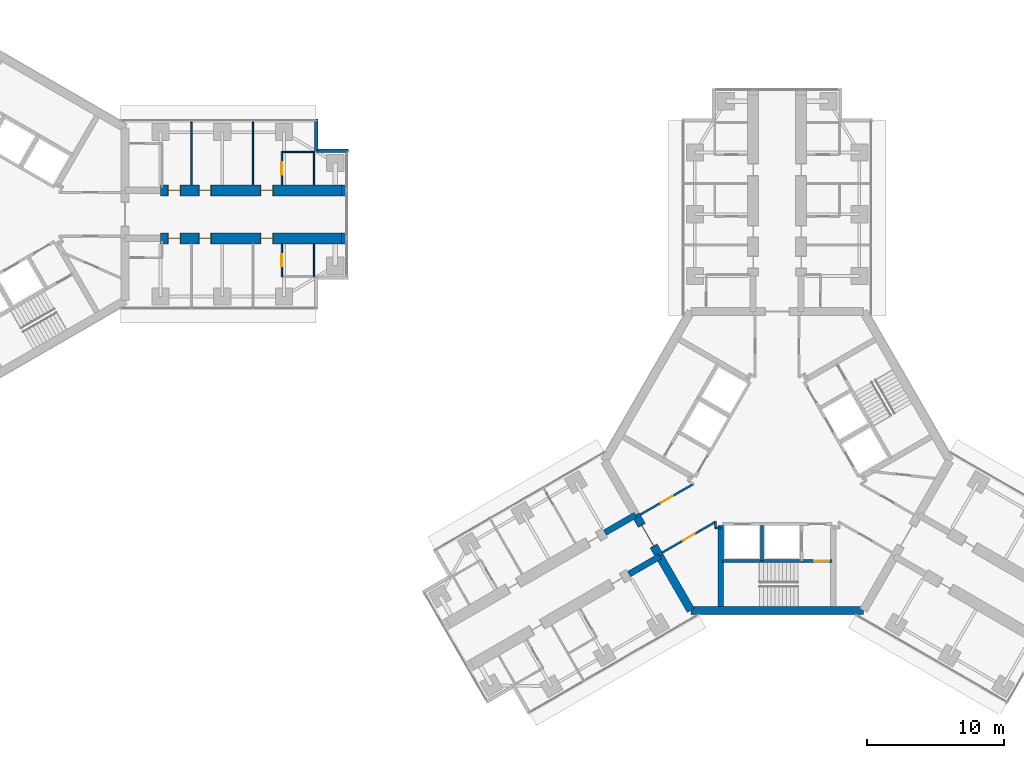
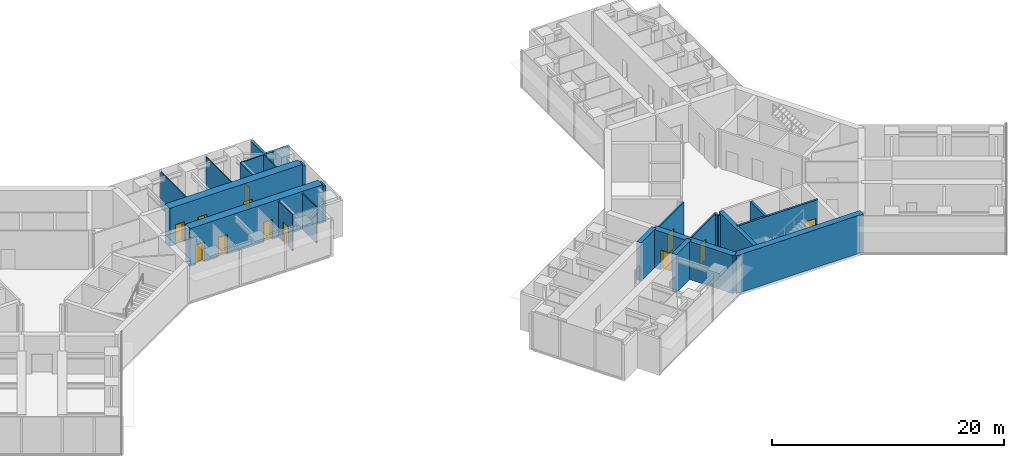
# One storey, part 18 of 23: 25 walls, 12 doors, 12 openings.
"""IFC4 building model written with IfcOpenShell, lengths in metres."""

from ifc_helpers import new_model, si_unit, direction, frame, frame_2d, origin, place, context, subcontext, project, spatial, rectangle, extrude, material, layer, layer_set, type_object, element, fill, save


model = new_model("IFC4")

# Units and contexts
model_context = context("Model", 3, precision=1e-05, world=origin(), true_north=direction((0.0, 1.0)))
body_context = subcontext(model_context, "Body", "Model", "MODEL_VIEW")
ifc_project = project(units=[si_unit("LENGTHUNIT", "METRE"), si_unit("AREAUNIT", "SQUARE_METRE"), si_unit("VOLUMEUNIT", "CUBIC_METRE"), si_unit("PLANEANGLEUNIT", "RADIAN"), si_unit("MASSUNIT", "GRAM", prefix="KILO")], contexts=[model_context])

# Site, building, storey
site_placement = place(None, origin())
site = spatial("IfcSite", under=ifc_project, at=site_placement, CompositionType="ELEMENT")
building_placement = place(site_placement, origin())
building = spatial("IfcBuilding", under=site, at=building_placement, Name="Upepo Twin Towers", CompositionType="ELEMENT")
storey_placement = place(building_placement, frame((0.0, 0.0, 149.5)))
storey = spatial("IfcBuildingStorey", under=building, at=storey_placement, Name="L36", CompositionType="ELEMENT", Elevation=149.5)

# Walls
ifc_material_1 = material(Name="Dense concrete blockwork", Category="masonry")
ifc_layer_1 = layer(ifc_material_1, 0.800048828125)
ifc_layer_set_1 = layer_set([ifc_layer_1], Name="Buttress closer 800, blockwork with fire-stopping to the curtain wall")
wall_type_1 = type_object("IfcWallType", Name="Buttress closer 800, blockwork with fire-stopping to the curtain wall", PredefinedType="PARTITIONING", material=ifc_layer_set_1)
for number, where, z_axis, x_axis, name in (
    (1, (26.699951171875, 1.75, 0.0), (0.0, 0.0, 1.0), (1.0, 0.0, 0.0), "T1 L36 wing A buttress closer L"),
    (2, (26.699951171875, -1.75, 0.0), (0.0, 0.0, 1.0), (1.0, 0.0, 0.0), "T1 L36 wing A buttress closer R"),
):
    element("IfcWall", number, at=place(storey_placement, frame(where, z_axis=z_axis, x_axis=x_axis)), inside=storey, type_object=wall_type_1, Name=name, PredefinedType="PARTITIONING", context=body_context, shape_type="SweptSolid", body=[
        extrude(rectangle(XDim=0.300048828125, YDim=0.800048828125, at=frame_2d((0.14990234375, 0.0))), origin(), (0.0, 0.0, 1.0), 3.800048828125),
    ])
ifc_material_2 = material(Name="Concrete C60/75", Category="concrete")
ifc_layer_2 = layer(ifc_material_2, 0.449951171875)
ifc_layer_set_2 = layer_set([ifc_layer_2], Name="Concrete C60/75")
wall_type_2 = type_object("IfcWallType", Name="Buttress wall 450 RC", PredefinedType="SHEAR", material=ifc_layer_set_2)
for number, where, z_axis, x_axis, name in (
    (3, (49.92822265625, -24.9697265625, 0.0), (0.0, 0.0, 1.0), (-0.866031863473, -0.499988811324, 0.0), "T2 wing B buttress wall L"),
    (4, (48.17822265625, -21.938720703125, 0.0), (0.0, 0.0, 1.0), (-0.866072649678, -0.499918158782, 0.0), "T2 wing B buttress wall R"),
):
    element("IfcWall", number, at=place(storey_placement, frame(where, z_axis=z_axis, x_axis=x_axis)), inside=storey, type_object=wall_type_2, Name=name, PredefinedType="SHEAR", context=body_context, shape_type="SweptSolid", body=[
        extrude(rectangle(XDim=2.591796875, YDim=0.449951171875, at=frame_2d((1.2958984375, 0.0))), origin(), (0.0, 0.0, 1.0), 4.0),
    ])

# Wall, openings, doors
ifc_material_3 = material(Name="Concrete C60/75", Category="concrete")
ifc_layer_3 = layer(ifc_material_3, 0.800048828125)
ifc_layer_set_3 = layer_set([ifc_layer_3], Name="Concrete C60/75")
wall_type_3 = type_object("IfcWallType", Name="Buttress wall 800 RC", PredefinedType="SHEAR", material=ifc_layer_set_3)
wall_1_placement = place(storey_placement, frame((13.5, 1.75, 0.0), z_axis=(0.0, 0.0, 1.0), x_axis=(1.0, 0.0, 0.0)))
wall_1 = element("IfcWall", 5, at=wall_1_placement, inside=storey, type_object=wall_type_3, Name="T1 wing A buttress wall L part 2", PredefinedType="SHEAR", context=body_context, shape_type="SweptSolid", body=[
    extrude(rectangle(XDim=13.199951171875, YDim=0.800048828125, at=frame_2d((6.60009765625, 0.0))), origin(), (0.0, 0.0, 1.0), 4.0),
])
opening_1_placement = place(wall_1_placement, frame((0.550048828125, 0.0, 0.0)))
opening_1 = element("IfcOpeningElement", 6, at=opening_1_placement, cuts=wall_1, Name="Opening D11", PredefinedType="OPENING", context=body_context, shape_type="SweptSolid", body=[
    extrude(rectangle(XDim=0.89990234375, YDim=2.10009765625, at=frame_2d((0.449951171875, 1.050048828125))), frame((0.0, 0.409912109375, 0.0), z_axis=(0.0, -1.0, 0.0), x_axis=(1.0, 0.0, 0.0)), (0.0, 0.0, 1.0), 0.820068359375),
])
opening_2_placement = place(wall_1_placement, frame((2.800048828125, 0.0, 0.0)))
opening_2 = element("IfcOpeningElement", 7, at=opening_2_placement, cuts=wall_1, Name="Opening D14", PredefinedType="OPENING", context=body_context, shape_type="SweptSolid", body=[
    extrude(rectangle(XDim=0.89990234375, YDim=2.10009765625, at=frame_2d((0.449951171875, 1.050048828125))), frame((0.0, 0.409912109375, 0.0), z_axis=(0.0, -1.0, 0.0), x_axis=(1.0, 0.0, 0.0)), (0.0, 0.0, 1.0), 0.820068359375),
])
opening_3_placement = place(wall_1_placement, frame((7.300048828125, 0.0, 0.0)))
opening_3 = element("IfcOpeningElement", 8, at=opening_3_placement, cuts=wall_1, Name="Opening D14", PredefinedType="OPENING", context=body_context, shape_type="SweptSolid", body=[
    extrude(rectangle(XDim=0.89990234375, YDim=2.10009765625, at=frame_2d((0.449951171875, 1.050048828125))), frame((0.0, 0.409912109375, 0.0), z_axis=(0.0, -1.0, 0.0), x_axis=(1.0, 0.0, 0.0)), (0.0, 0.0, 1.0), 0.820068359375),
])
ifc_material_4 = material(Name="Timber doorset", Category="wood")
door_type_1 = type_object("IfcDoorType", Name="Office door 900 FD30", OperationType="SINGLE_SWING_LEFT", PredefinedType="DOOR", material=ifc_material_4)
door_1_placement = place(opening_2_placement, origin())
door_1 = element("IfcDoor", 9, at=door_1_placement, inside=storey, type_object=door_type_1, Name="T1 L36 staff office door", OperationType="SINGLE_SWING_LEFT", OverallHeight=2.10009765625, OverallWidth=0.89990234375, PredefinedType="DOOR", context=body_context, shape_type="SweptSolid", body=[
    extrude(rectangle(XDim=0.81990234375, YDim=2.06009765625, at=frame_2d((0.449951171875, 1.030029296875))), frame((0.0, 0.02490234375, 0.0), z_axis=(0.0, -1.0, 0.0), x_axis=(1.0, 0.0, 0.0)), (0.0, 0.0, 1.0), 0.050048828125),
    extrude(rectangle(XDim=0.04, YDim=2.10009765625, at=frame_2d((0.02001953125, 1.050048828125))), frame((0.0, 0.39990234375, 0.0), z_axis=(0.0, -1.0, 0.0), x_axis=(1.0, 0.0, 0.0)), (0.0, 0.0, 1.0), 0.799560546875),
    extrude(rectangle(XDim=0.04, YDim=2.10009765625, at=frame_2d((0.8798828125, 1.050048828125))), frame((0.0, 0.39990234375, 0.0), z_axis=(0.0, -1.0, 0.0), x_axis=(1.0, 0.0, 0.0)), (0.0, 0.0, 1.0), 0.799560546875),
    extrude(rectangle(XDim=0.81990234375, YDim=0.04, at=frame_2d((0.449951171875, 2.080078125))), frame((0.0, 0.39990234375, 0.0), z_axis=(0.0, -1.0, 0.0), x_axis=(1.0, 0.0, 0.0)), (0.0, 0.0, 1.0), 0.799560546875),
])
fill(opening_2, door_1)
door_2_placement = place(opening_3_placement, origin())
door_2 = element("IfcDoor", 10, at=door_2_placement, inside=storey, type_object=door_type_1, Name="T1 L36 postgraduate office door", OperationType="SINGLE_SWING_RIGHT", OverallHeight=2.10009765625, OverallWidth=0.89990234375, PredefinedType="DOOR", context=body_context, shape_type="SweptSolid", body=[
    extrude(rectangle(XDim=0.81990234375, YDim=2.06009765625, at=frame_2d((0.449951171875, 1.030029296875))), frame((0.0, 0.02490234375, 0.0), z_axis=(0.0, -1.0, 0.0), x_axis=(1.0, 0.0, 0.0)), (0.0, 0.0, 1.0), 0.050048828125),
    extrude(rectangle(XDim=0.04, YDim=2.10009765625, at=frame_2d((0.02001953125, 1.050048828125))), frame((0.0, 0.39990234375, 0.0), z_axis=(0.0, -1.0, 0.0), x_axis=(1.0, 0.0, 0.0)), (0.0, 0.0, 1.0), 0.799560546875),
    extrude(rectangle(XDim=0.04, YDim=2.10009765625, at=frame_2d((0.8798828125, 1.050048828125))), frame((0.0, 0.39990234375, 0.0), z_axis=(0.0, -1.0, 0.0), x_axis=(1.0, 0.0, 0.0)), (0.0, 0.0, 1.0), 0.799560546875),
    extrude(rectangle(XDim=0.81990234375, YDim=0.04, at=frame_2d((0.449951171875, 2.080078125))), frame((0.0, 0.39990234375, 0.0), z_axis=(0.0, -1.0, 0.0), x_axis=(1.0, 0.0, 0.0)), (0.0, 0.0, 1.0), 0.799560546875),
])
fill(opening_3, door_2)
ifc_material_5 = material(Name="Timber doorset", Category="wood")
door_type_2 = type_object("IfcDoorType", Name="Toilet door 900", OperationType="SINGLE_SWING_LEFT", PredefinedType="DOOR", material=ifc_material_5)
door_3_placement = place(opening_1_placement, origin())
door_3 = element("IfcDoor", 11, at=door_3_placement, inside=storey, type_object=door_type_2, Name="T1 L36 accessible wc door", OperationType="SINGLE_SWING_LEFT", OverallHeight=2.10009765625, OverallWidth=0.89990234375, PredefinedType="DOOR", context=body_context, shape_type="SweptSolid", body=[
    extrude(rectangle(XDim=0.81990234375, YDim=2.06009765625, at=frame_2d((0.449951171875, 1.030029296875))), frame((0.0, 0.02490234375, 0.0), z_axis=(0.0, -1.0, 0.0), x_axis=(1.0, 0.0, 0.0)), (0.0, 0.0, 1.0), 0.050048828125),
    extrude(rectangle(XDim=0.04, YDim=2.10009765625, at=frame_2d((0.02001953125, 1.050048828125))), frame((0.0, 0.39990234375, 0.0), z_axis=(0.0, -1.0, 0.0), x_axis=(1.0, 0.0, 0.0)), (0.0, 0.0, 1.0), 0.799560546875),
    extrude(rectangle(XDim=0.04, YDim=2.10009765625, at=frame_2d((0.8798828125, 1.050048828125))), frame((0.0, 0.39990234375, 0.0), z_axis=(0.0, -1.0, 0.0), x_axis=(1.0, 0.0, 0.0)), (0.0, 0.0, 1.0), 0.799560546875),
    extrude(rectangle(XDim=0.81990234375, YDim=0.04, at=frame_2d((0.449951171875, 2.080078125))), frame((0.0, 0.39990234375, 0.0), z_axis=(0.0, -1.0, 0.0), x_axis=(1.0, 0.0, 0.0)), (0.0, 0.0, 1.0), 0.799560546875),
])
fill(opening_1, door_3)

wall_2_placement = place(storey_placement, frame((13.5, -1.75, 0.0), z_axis=(0.0, 0.0, 1.0), x_axis=(1.0, 0.0, 0.0)))
wall_2 = element("IfcWall", 12, at=wall_2_placement, inside=storey, type_object=wall_type_3, Name="T1 wing A buttress wall R part 2", PredefinedType="SHEAR", context=body_context, shape_type="SweptSolid", body=[
    extrude(rectangle(XDim=13.199951171875, YDim=0.800048828125, at=frame_2d((6.60009765625, 0.0))), origin(), (0.0, 0.0, 1.0), 4.0),
])
opening_4_placement = place(wall_2_placement, frame((0.550048828125, 0.0, 0.0)))
opening_4 = element("IfcOpeningElement", 13, at=opening_4_placement, cuts=wall_2, Name="Opening D11", PredefinedType="OPENING", context=body_context, shape_type="SweptSolid", body=[
    extrude(rectangle(XDim=0.89990234375, YDim=2.10009765625, at=frame_2d((0.449951171875, 1.050048828125))), frame((0.0, 0.409912109375, 0.0), z_axis=(0.0, -1.0, 0.0), x_axis=(1.0, 0.0, 0.0)), (0.0, 0.0, 1.0), 0.820068359375),
])
opening_5_placement = place(wall_2_placement, frame((2.800048828125, 0.0, 0.0)))
opening_5 = element("IfcOpeningElement", 14, at=opening_5_placement, cuts=wall_2, Name="Opening D14", PredefinedType="OPENING", context=body_context, shape_type="SweptSolid", body=[
    extrude(rectangle(XDim=0.89990234375, YDim=2.10009765625, at=frame_2d((0.449951171875, 1.050048828125))), frame((0.0, 0.409912109375, 0.0), z_axis=(0.0, -1.0, 0.0), x_axis=(1.0, 0.0, 0.0)), (0.0, 0.0, 1.0), 0.820068359375),
])
opening_6_placement = place(wall_2_placement, frame((7.300048828125, 0.0, 0.0)))
opening_6 = element("IfcOpeningElement", 15, at=opening_6_placement, cuts=wall_2, Name="Opening D14", PredefinedType="OPENING", context=body_context, shape_type="SweptSolid", body=[
    extrude(rectangle(XDim=0.89990234375, YDim=2.10009765625, at=frame_2d((0.449951171875, 1.050048828125))), frame((0.0, 0.409912109375, 0.0), z_axis=(0.0, -1.0, 0.0), x_axis=(1.0, 0.0, 0.0)), (0.0, 0.0, 1.0), 0.820068359375),
])
door_4_placement = place(opening_5_placement, origin())
door_4 = element("IfcDoor", 16, at=door_4_placement, inside=storey, type_object=door_type_1, Name="T1 L36 meeting room door", OperationType="SINGLE_SWING_LEFT", OverallHeight=2.10009765625, OverallWidth=0.89990234375, PredefinedType="DOOR", context=body_context, shape_type="SweptSolid", body=[
    extrude(rectangle(XDim=0.81990234375, YDim=2.06009765625, at=frame_2d((0.449951171875, 1.030029296875))), frame((0.0, 0.02490234375, 0.0), z_axis=(0.0, -1.0, 0.0), x_axis=(1.0, 0.0, 0.0)), (0.0, 0.0, 1.0), 0.050048828125),
    extrude(rectangle(XDim=0.04, YDim=2.10009765625, at=frame_2d((0.02001953125, 1.050048828125))), frame((0.0, 0.39990234375, 0.0), z_axis=(0.0, -1.0, 0.0), x_axis=(1.0, 0.0, 0.0)), (0.0, 0.0, 1.0), 0.799560546875),
    extrude(rectangle(XDim=0.04, YDim=2.10009765625, at=frame_2d((0.8798828125, 1.050048828125))), frame((0.0, 0.39990234375, 0.0), z_axis=(0.0, -1.0, 0.0), x_axis=(1.0, 0.0, 0.0)), (0.0, 0.0, 1.0), 0.799560546875),
    extrude(rectangle(XDim=0.81990234375, YDim=0.04, at=frame_2d((0.449951171875, 2.080078125))), frame((0.0, 0.39990234375, 0.0), z_axis=(0.0, -1.0, 0.0), x_axis=(1.0, 0.0, 0.0)), (0.0, 0.0, 1.0), 0.799560546875),
])
fill(opening_5, door_4)
door_5_placement = place(opening_6_placement, origin())
door_5 = element("IfcDoor", 17, at=door_5_placement, inside=storey, type_object=door_type_1, Name="T1 L36 staff office door", OperationType="SINGLE_SWING_RIGHT", OverallHeight=2.10009765625, OverallWidth=0.89990234375, PredefinedType="DOOR", context=body_context, shape_type="SweptSolid", body=[
    extrude(rectangle(XDim=0.81990234375, YDim=2.06009765625, at=frame_2d((0.449951171875, 1.030029296875))), frame((0.0, 0.02490234375, 0.0), z_axis=(0.0, -1.0, 0.0), x_axis=(1.0, 0.0, 0.0)), (0.0, 0.0, 1.0), 0.050048828125),
    extrude(rectangle(XDim=0.04, YDim=2.10009765625, at=frame_2d((0.02001953125, 1.050048828125))), frame((0.0, 0.39990234375, 0.0), z_axis=(0.0, -1.0, 0.0), x_axis=(1.0, 0.0, 0.0)), (0.0, 0.0, 1.0), 0.799560546875),
    extrude(rectangle(XDim=0.04, YDim=2.10009765625, at=frame_2d((0.8798828125, 1.050048828125))), frame((0.0, 0.39990234375, 0.0), z_axis=(0.0, -1.0, 0.0), x_axis=(1.0, 0.0, 0.0)), (0.0, 0.0, 1.0), 0.799560546875),
    extrude(rectangle(XDim=0.81990234375, YDim=0.04, at=frame_2d((0.449951171875, 2.080078125))), frame((0.0, 0.39990234375, 0.0), z_axis=(0.0, -1.0, 0.0), x_axis=(1.0, 0.0, 0.0)), (0.0, 0.0, 1.0), 0.799560546875),
])
fill(opening_6, door_5)
door_6_placement = place(opening_4_placement, origin())
door_6 = element("IfcDoor", 18, at=door_6_placement, inside=storey, type_object=door_type_2, Name="T1 L36 toilets door", OperationType="SINGLE_SWING_LEFT", OverallHeight=2.10009765625, OverallWidth=0.89990234375, PredefinedType="DOOR", context=body_context, shape_type="SweptSolid", body=[
    extrude(rectangle(XDim=0.81990234375, YDim=2.06009765625, at=frame_2d((0.449951171875, 1.030029296875))), frame((0.0, 0.02490234375, 0.0), z_axis=(0.0, -1.0, 0.0), x_axis=(1.0, 0.0, 0.0)), (0.0, 0.0, 1.0), 0.050048828125),
    extrude(rectangle(XDim=0.04, YDim=2.10009765625, at=frame_2d((0.02001953125, 1.050048828125))), frame((0.0, 0.39990234375, 0.0), z_axis=(0.0, -1.0, 0.0), x_axis=(1.0, 0.0, 0.0)), (0.0, 0.0, 1.0), 0.799560546875),
    extrude(rectangle(XDim=0.04, YDim=2.10009765625, at=frame_2d((0.8798828125, 1.050048828125))), frame((0.0, 0.39990234375, 0.0), z_axis=(0.0, -1.0, 0.0), x_axis=(1.0, 0.0, 0.0)), (0.0, 0.0, 1.0), 0.799560546875),
    extrude(rectangle(XDim=0.81990234375, YDim=0.04, at=frame_2d((0.449951171875, 2.080078125))), frame((0.0, 0.39990234375, 0.0), z_axis=(0.0, -1.0, 0.0), x_axis=(1.0, 0.0, 0.0)), (0.0, 0.0, 1.0), 0.799560546875),
])
fill(opening_4, door_6)

# Wall, opening, door
ifc_material_6 = material(Name="Concrete C60/75", Category="concrete")
ifc_layer_4 = layer(ifc_material_6, 0.60009765625)
ifc_layer_set_4 = layer_set([ifc_layer_4], Name="Concrete C60/75")
wall_type_4 = type_object("IfcWallType", Name="Core wall 600 RC", PredefinedType="SHEAR", material=ifc_layer_set_4)
wall_3_placement = place(storey_placement, frame((48.17822265625, -21.938720703125, 0.0), z_axis=(0.0, 0.0, 1.0), x_axis=(0.500010275428, -0.866019471182, 0.0)))
wall_3 = element("IfcWall", 19, at=wall_3_placement, inside=storey, type_object=wall_type_4, Name="T2 core wall 120", PredefinedType="SHEAR", context=body_context, shape_type="SweptSolid", body=[
    extrude(rectangle(XDim=3.5, YDim=0.60009765625, at=frame_2d((1.75, 0.0))), origin(), (0.0, 0.0, 1.0), 4.0),
])
opening_7_placement = place(wall_3_placement, frame((0.85009765625, 0.0, 0.0)))
opening_7 = element("IfcOpeningElement", 20, at=opening_7_placement, cuts=wall_3, Name="Opening D2", PredefinedType="OPENING", context=body_context, shape_type="SweptSolid", body=[
    extrude(rectangle(XDim=1.800048828125, YDim=2.10009765625, at=frame_2d((0.89990234375, 1.050048828125))), frame((0.0, 0.31005859375, 0.0), z_axis=(0.0, -1.0, 0.0), x_axis=(1.0, 0.0, 0.0)), (0.0, 0.0, 1.0), 0.6201171875),
])
ifc_material_7 = material(Name="Timber doorset", Category="wood")
door_type_3 = type_object("IfcDoorType", Name="Corridor double door 1800 FD60", OperationType="DOUBLE_DOOR_DOUBLE_SWING", PredefinedType="DOOR", material=ifc_material_7)
door_7_placement = place(opening_7_placement, origin())
door_7 = element("IfcDoor", 21, at=door_7_placement, inside=storey, type_object=door_type_3, Name="T2 L36 wing B corridor door", OperationType="DOUBLE_DOOR_DOUBLE_SWING", OverallHeight=2.10009765625, OverallWidth=1.800048828125, PredefinedType="DOOR", context=body_context, shape_type="SweptSolid", body=[
    extrude(rectangle(XDim=1.720048828125, YDim=2.06009765625, at=frame_2d((0.89990234375, 1.030029296875))), frame((0.0, 0.02490234375, 0.0), z_axis=(0.0, -1.0, 0.0), x_axis=(1.0, 0.0, 0.0)), (0.0, 0.0, 1.0), 0.050048828125),
    extrude(rectangle(XDim=0.04, YDim=2.10009765625, at=frame_2d((0.02001953125, 1.050048828125))), frame((0.0, 0.2998046875, 0.0), z_axis=(0.0, -1.0, 0.0), x_axis=(1.0, 0.0, 0.0)), (0.0, 0.0, 1.0), 0.599609375),
    extrude(rectangle(XDim=0.04, YDim=2.10009765625, at=frame_2d((1.780029296875, 1.050048828125))), frame((0.0, 0.2998046875, 0.0), z_axis=(0.0, -1.0, 0.0), x_axis=(1.0, 0.0, 0.0)), (0.0, 0.0, 1.0), 0.599609375),
    extrude(rectangle(XDim=1.720048828125, YDim=0.04, at=frame_2d((0.89990234375, 2.080078125))), frame((0.0, 0.2998046875, 0.0), z_axis=(0.0, -1.0, 0.0), x_axis=(1.0, 0.0, 0.0)), (0.0, 0.0, 1.0), 0.599609375),
])
fill(opening_7, door_7)

# Walls
wall_4_placement = place(storey_placement, frame((49.92822265625, -24.9697265625, 0.0), z_axis=(0.0, 0.0, 1.0), x_axis=(0.499984222037, -0.866034513004, 0.0)))
element("IfcWall", 22, at=wall_4_placement, inside=storey, type_object=wall_type_4, Name="T2 core wall 120 L", PredefinedType="SHEAR", context=body_context, shape_type="SweptSolid", body=[
    extrude(rectangle(XDim=4.548095703125, YDim=0.60009765625, at=frame_2d((2.27392578125, 0.0))), origin(), (0.0, 0.0, 1.0), 4.0),
])
wall_5_placement = place(storey_placement, frame((52.2021484375, -28.908447265625, 0.0), z_axis=(0.0, 0.0, 1.0), x_axis=(1.0, 0.0, 0.0)))
element("IfcWall", 23, at=wall_5_placement, inside=storey, type_object=wall_type_4, Name="T2 core wall 180", PredefinedType="SHEAR", context=body_context, shape_type="SweptSolid", body=[
    extrude(rectangle(XDim=12.595703125, YDim=0.60009765625, at=frame_2d((6.2978515625, 0.0))), origin(), (0.0, 0.0, 1.0), 4.0),
])
ifc_material_8 = material(Name="Blockwork with anodised aluminium cladding", Category="masonry")
ifc_layer_5 = layer(ifc_material_8, 0.25)
ifc_layer_set_5 = layer_set([ifc_layer_5], Name="Notch cladding wall 250, pale metal")
wall_type_5 = type_object("IfcWallType", Name="Notch cladding wall 250, pale metal", PredefinedType="STANDARD", material=ifc_layer_set_5)
for number, where, z_axis, x_axis, name in (
    (24, (24.875, 6.949951171875, 0.0), (0.0, 0.0, 1.0), (0.0, -1.0, 0.0), "T1 L36 wing A notch wall L1"),
    (25, (24.875, 4.625, 0.0), (0.0, 0.0, 1.0), (1.0, 0.0, 0.0), "T1 L36 wing A notch wall L2"),
):
    element("IfcWall", number, at=place(storey_placement, frame(where, z_axis=z_axis, x_axis=x_axis)), inside=storey, type_object=wall_type_5, Name=name, PredefinedType="STANDARD", context=body_context, shape_type="SweptSolid", body=[
        extrude(rectangle(XDim=2.324951171875, YDim=0.25, at=frame_2d((1.16259765625, 0.0))), origin(), (0.0, 0.0, 1.0), 3.800048828125),
    ])
ifc_material_9 = material(Name="Gypsum board on steel studs", Category="steel")
ifc_layer_6 = layer(ifc_material_9, 0.10009765625)
ifc_layer_set_6 = layer_set([ifc_layer_6], Name="Office partition 100 stud")
wall_type_6 = type_object("IfcWallType", Name="Office partition 100 stud", PredefinedType="PARTITIONING", material=ifc_layer_set_6)
for number, where, z_axis, x_axis, name in (
    (26, (15.75, 2.14990234375, 0.0), (0.0, 0.0, 1.0), (0.0, 1.0, 0.0), "T1 partition AL at 15.75"),
    (27, (20.25, 2.14990234375, 0.0), (0.0, 0.0, 1.0), (0.0, 1.0, 0.0), "T1 partition AL at 20.25"),
):
    element("IfcWall", number, at=place(storey_placement, frame(where, z_axis=z_axis, x_axis=x_axis)), inside=storey, type_object=wall_type_6, Name=name, PredefinedType="PARTITIONING", context=body_context, shape_type="SweptSolid", body=[
        extrude(rectangle(XDim=4.60009765625, YDim=0.10009765625, at=frame_2d((2.300048828125, 0.0))), origin(), (0.0, 0.0, 1.0), 3.800048828125),
    ])
wall_6_placement = place(storey_placement, frame((22.35009765625, 4.550048828125, 0.0), z_axis=(0.0, 0.0, 1.0), x_axis=(1.0, 0.0, 0.0)))
element("IfcWall", 28, at=wall_6_placement, inside=storey, type_object=wall_type_6, Name="T1 inner room partition AL at 22.35", PredefinedType="PARTITIONING", context=body_context, shape_type="SweptSolid", body=[
    extrude(rectangle(XDim=2.39990234375, YDim=0.10009765625, at=frame_2d((1.199951171875, 0.0))), origin(), (0.0, 0.0, 1.0), 3.800048828125),
])

# Wall, opening, door
wall_7_placement = place(storey_placement, frame((22.35009765625, 2.14990234375, 0.0), z_axis=(0.0, 0.0, 1.0), x_axis=(0.0, 1.0, 0.0)))
wall_7 = element("IfcWall", 29, at=wall_7_placement, inside=storey, type_object=wall_type_6, Name="T1 inner room partition AL end at 22.35", PredefinedType="PARTITIONING", context=body_context, shape_type="SweptSolid", body=[
    extrude(rectangle(XDim=2.400146484375, YDim=0.10009765625, at=frame_2d((1.2001953125, 0.0))), origin(), (0.0, 0.0, 1.0), 3.800048828125),
])
opening_8_placement = place(wall_7_placement, frame((0.75, 0.0, 0.0)))
opening_8 = element("IfcOpeningElement", 30, at=opening_8_placement, cuts=wall_7, Name="Opening D14", PredefinedType="OPENING", context=body_context, shape_type="SweptSolid", body=[
    extrude(rectangle(XDim=0.89990234375, YDim=2.10009765625, at=frame_2d((0.449951171875, 1.050048828125))), frame((0.0, 0.06005859375, 0.0), z_axis=(0.0, -1.0, 0.0), x_axis=(1.0, 0.0, 0.0)), (0.0, 0.0, 1.0), 0.1201171875),
])
door_8_placement = place(opening_8_placement, origin())
door_8 = element("IfcDoor", 31, at=door_8_placement, inside=storey, type_object=door_type_1, Name="T1 L36 inner room door", OperationType="SINGLE_SWING_LEFT", OverallHeight=2.10009765625, OverallWidth=0.89990234375, PredefinedType="DOOR", context=body_context, shape_type="SweptSolid", body=[
    extrude(rectangle(XDim=0.89990234375, YDim=2.10009765625, at=frame_2d((0.449951171875, 1.050048828125))), frame((0.0, 0.02490234375, 0.0), z_axis=(0.0, -1.0, 0.0), x_axis=(1.0, 0.0, 0.0)), (0.0, 0.0, 1.0), 0.050048828125),
])
fill(opening_8, door_8)

# Wall
wall_8_placement = place(storey_placement, frame((24.699951171875, 2.14990234375, 0.0), z_axis=(0.0, 0.0, 1.0), x_axis=(0.0, 1.0, 0.0)))
element("IfcWall", 32, at=wall_8_placement, inside=storey, type_object=wall_type_6, Name="T1 inner room partition AL end at 24.75", PredefinedType="PARTITIONING", context=body_context, shape_type="SweptSolid", body=[
    extrude(rectangle(XDim=2.400146484375, YDim=0.10009765625, at=frame_2d((1.2001953125, 0.0))), origin(), (0.0, 0.0, 1.0), 3.800048828125),
])

# Wall, opening, door
wall_9_placement = place(storey_placement, frame((22.35009765625, -2.14990234375, 0.0), z_axis=(0.0, 0.0, 1.0), x_axis=(0.0, -1.0, 0.0)))
wall_9 = element("IfcWall", 33, at=wall_9_placement, inside=storey, type_object=wall_type_6, Name="T1 inner room partition AR end at 22.35", PredefinedType="PARTITIONING", context=body_context, shape_type="SweptSolid", body=[
    extrude(rectangle(XDim=2.400146484375, YDim=0.10009765625, at=frame_2d((1.2001953125, 0.0))), origin(), (0.0, 0.0, 1.0), 3.800048828125),
])
opening_9_placement = place(wall_9_placement, frame((0.75, 0.0, 0.0)))
opening_9 = element("IfcOpeningElement", 34, at=opening_9_placement, cuts=wall_9, Name="Opening D14", PredefinedType="OPENING", context=body_context, shape_type="SweptSolid", body=[
    extrude(rectangle(XDim=0.89990234375, YDim=2.10009765625, at=frame_2d((0.449951171875, 1.050048828125))), frame((0.0, 0.06005859375, 0.0), z_axis=(0.0, -1.0, 0.0), x_axis=(1.0, 0.0, 0.0)), (0.0, 0.0, 1.0), 0.1201171875),
])
door_9_placement = place(opening_9_placement, origin())
door_9 = element("IfcDoor", 35, at=door_9_placement, inside=storey, type_object=door_type_1, Name="T1 L36 inner room door", OperationType="SINGLE_SWING_LEFT", OverallHeight=2.10009765625, OverallWidth=0.89990234375, PredefinedType="DOOR", context=body_context, shape_type="SweptSolid", body=[
    extrude(rectangle(XDim=0.89990234375, YDim=2.10009765625, at=frame_2d((0.449951171875, 1.050048828125))), frame((0.0, 0.02490234375, 0.0), z_axis=(0.0, -1.0, 0.0), x_axis=(1.0, 0.0, 0.0)), (0.0, 0.0, 1.0), 0.050048828125),
])
fill(opening_9, door_9)

# Walls
wall_10_placement = place(storey_placement, frame((24.699951171875, -2.14990234375, 0.0), z_axis=(0.0, 0.0, 1.0), x_axis=(0.0, -1.0, 0.0)))
element("IfcWall", 36, at=wall_10_placement, inside=storey, type_object=wall_type_6, Name="T1 inner room partition AR end at 24.75", PredefinedType="PARTITIONING", context=body_context, shape_type="SweptSolid", body=[
    extrude(rectangle(XDim=2.400146484375, YDim=0.10009765625, at=frame_2d((1.2001953125, 0.0))), origin(), (0.0, 0.0, 1.0), 3.800048828125),
])
ifc_material_10 = material(Name="Concrete C40/50", Category="concrete")
ifc_layer_7 = layer(ifc_material_10, 0.199951171875)
ifc_layer_set_7 = layer_set([ifc_layer_7], Name="Concrete C40/50")
wall_type_7 = type_object("IfcWallType", Name="Shaft wall 200 RC", PredefinedType="SHEAR", material=ifc_layer_set_7)
wall_11_placement = place(storey_placement, frame((57.39990234375, -22.699951171875, 0.0), z_axis=(0.0, 0.0, 1.0), x_axis=(0.0, -1.0, 0.0)))
element("IfcWall", 37, at=wall_11_placement, inside=storey, type_object=wall_type_7, Name="T2 core W180 shaft divider", PredefinedType="SHEAR", context=body_context, shape_type="SweptSolid", body=[
    extrude(rectangle(XDim=2.60009765625, YDim=0.199951171875, at=frame_2d((1.300048828125, 0.0))), origin(), (0.0, 0.0, 1.0), 4.0),
])

# Wall, opening, door
wall_12_placement = place(storey_placement, frame((54.5, -25.300048828125, 0.0), z_axis=(0.0, 0.0, 1.0), x_axis=(1.0, 0.0, 0.0)))
wall_12 = element("IfcWall", 38, at=wall_12_placement, inside=storey, type_object=wall_type_7, Name="T2 core W180 stair wall", PredefinedType="SHEAR", context=body_context, shape_type="SweptSolid", body=[
    extrude(rectangle(XDim=8.0, YDim=0.199951171875, at=frame_2d((4.0, 0.0))), origin(), (0.0, 0.0, 1.0), 4.0),
])
opening_10_placement = place(wall_12_placement, frame((6.699951171875, 0.0, 0.0)))
opening_10 = element("IfcOpeningElement", 39, at=opening_10_placement, cuts=wall_12, Name="Opening D3", PredefinedType="OPENING", context=body_context, shape_type="SweptSolid", body=[
    extrude(rectangle(XDim=1.10009765625, YDim=2.10009765625, at=frame_2d((0.550048828125, 1.050048828125))), frame((0.0, 0.10986328125, 0.0), z_axis=(0.0, -1.0, 0.0), x_axis=(1.0, 0.0, 0.0)), (0.0, 0.0, 1.0), 0.219970703125),
])
ifc_material_11 = material(Name="Timber doorset", Category="wood")
door_type_4 = type_object("IfcDoorType", Name="Stair door 1100 FD60", OperationType="SINGLE_SWING_LEFT", PredefinedType="DOOR", material=ifc_material_11)
door_10_placement = place(opening_10_placement, origin())
door_10 = element("IfcDoor", 40, at=door_10_placement, inside=storey, type_object=door_type_4, Name="T2 L36 stair door", OperationType="SINGLE_SWING_RIGHT", OverallHeight=2.10009765625, OverallWidth=1.10009765625, PredefinedType="DOOR", context=body_context, shape_type="SweptSolid", body=[
    extrude(rectangle(XDim=1.10009765625, YDim=2.10009765625, at=frame_2d((0.550048828125, 1.050048828125))), frame((0.0, 0.02490234375, 0.0), z_axis=(0.0, -1.0, 0.0), x_axis=(1.0, 0.0, 0.0)), (0.0, 0.0, 1.0), 0.050048828125),
])
fill(opening_10, door_10)

# Walls
ifc_material_12 = material(Name="Concrete C40/50", Category="concrete")
ifc_layer_8 = layer(ifc_material_12, 0.39990234375)
ifc_layer_set_8 = layer_set([ifc_layer_8], Name="Concrete C40/50")
wall_type_8 = type_object("IfcWallType", Name="Shaft wall 400 RC", PredefinedType="SHEAR", material=ifc_layer_set_8)
wall_13_placement = place(storey_placement, frame((54.39990234375, -22.699951171875, 0.0), z_axis=(0.0, 0.0, 1.0), x_axis=(0.0, -1.0, 0.0)))
element("IfcWall", 41, at=wall_13_placement, inside=storey, type_object=wall_type_8, Name="T2 core W180 side wall S", PredefinedType="SHEAR", context=body_context, shape_type="SweptSolid", body=[
    extrude(rectangle(XDim=5.908447265625, YDim=0.39990234375, at=frame_2d((2.9541015625, 0.0))), origin(), (0.0, 0.0, 1.0), 4.0),
])
ifc_material_13 = material(Name="Gypsum board on steel studs", Category="steel")
ifc_layer_9 = layer(ifc_material_13, 0.14990234375)
ifc_layer_set_9 = layer_set([ifc_layer_9], Name="Teaching partition 150 acoustic")
wall_type_9 = type_object("IfcWallType", Name="Teaching partition 150 acoustic", PredefinedType="PARTITIONING", material=ifc_layer_set_9)
wall_14_placement = place(storey_placement, frame((54.0, -22.919921875, 0.0), z_axis=(0.0, 0.0, 1.0), x_axis=(0.0, 1.0, 0.0)))
element("IfcWall", 42, at=wall_14_placement, inside=storey, type_object=wall_type_9, Name="T2 core room partition 1", PredefinedType="PARTITIONING", context=body_context, shape_type="SweptSolid", body=[
    extrude(rectangle(XDim=0.494384765625, YDim=0.14990234375, at=frame_2d((0.2470703125, 0.0))), origin(), (0.0, 0.0, 1.0), 3.800048828125),
])

# Wall, opening, door
wall_15_placement = place(storey_placement, frame((54.017333984375, -22.435546875, 0.0), z_axis=(0.0, 0.0, 1.0), x_axis=(-0.86602002524, -0.500009315796, 0.0)))
wall_15 = element("IfcWall", 43, at=wall_15_placement, inside=storey, type_object=wall_type_9, Name="T2 core room partition 2", PredefinedType="PARTITIONING", context=body_context, shape_type="SweptSolid", body=[
    extrude(rectangle(XDim=4.5185546875, YDim=0.14990234375, at=frame_2d((2.25927734375, 0.0))), origin(), (0.0, 0.0, 1.0), 3.800048828125),
])
opening_11_placement = place(wall_15_placement, frame((1.769287109375, 0.0, 0.0)))
opening_11 = element("IfcOpeningElement", 44, at=opening_11_placement, cuts=wall_15, Name="Opening D1", PredefinedType="OPENING", context=body_context, shape_type="SweptSolid", body=[
    extrude(rectangle(XDim=1.0, YDim=2.10009765625, at=frame_2d((0.5, 1.050048828125))), frame((0.0, 0.0849609375, 0.0), z_axis=(0.0, -1.0, 0.0), x_axis=(1.0, 0.0, 0.0)), (0.0, 0.0, 1.0), 0.169921875),
])
ifc_material_14 = material(Name="Timber doorset", Category="wood")
door_type_5 = type_object("IfcDoorType", Name="Room door 1000 FD30", OperationType="SINGLE_SWING_LEFT", PredefinedType="DOOR", material=ifc_material_14)
door_11_placement = place(opening_11_placement, origin())
door_11 = element("IfcDoor", 45, at=door_11_placement, inside=storey, type_object=door_type_5, Name="T2 L36 core room door K2", OperationType="SINGLE_SWING_RIGHT", OverallHeight=2.10009765625, OverallWidth=1.0, PredefinedType="DOOR", context=body_context, shape_type="SweptSolid", body=[
    extrude(rectangle(XDim=1.0, YDim=2.10009765625, at=frame_2d((0.5, 1.050048828125))), frame((0.0, 0.02490234375, 0.0), z_axis=(0.0, -1.0, 0.0), x_axis=(1.0, 0.0, 0.0)), (0.0, 0.0, 1.0), 0.050048828125),
])
fill(opening_11, door_11)

wall_16_placement = place(storey_placement, frame((48.50439453125, -21.923583984375, 0.0), z_axis=(0.0, 0.0, 1.0), x_axis=(0.866006515865, 0.500032713409, 0.0)))
wall_16 = element("IfcWall", 46, at=wall_16_placement, inside=storey, type_object=wall_type_9, Name="T2 core room partition 3", PredefinedType="PARTITIONING", context=body_context, shape_type="SweptSolid", body=[
    extrude(rectangle(XDim=4.518310546875, YDim=0.14990234375, at=frame_2d((2.25927734375, 0.0))), origin(), (0.0, 0.0, 1.0), 3.800048828125),
])
opening_12_placement = place(wall_16_placement, frame((1.7490234375, 0.0, 0.0)))
opening_12 = element("IfcOpeningElement", 47, at=opening_12_placement, cuts=wall_16, Name="Opening D1", PredefinedType="OPENING", context=body_context, shape_type="SweptSolid", body=[
    extrude(rectangle(XDim=1.0, YDim=2.10009765625, at=frame_2d((0.5, 1.050048828125))), frame((0.0, 0.0849609375, 0.0), z_axis=(0.0, -1.0, 0.0), x_axis=(1.0, 0.0, 0.0)), (0.0, 0.0, 1.0), 0.169921875),
])
door_12_placement = place(opening_12_placement, origin())
door_12 = element("IfcDoor", 48, at=door_12_placement, inside=storey, type_object=door_type_5, Name="T2 L36 core room door K1", OperationType="SINGLE_SWING_LEFT", OverallHeight=2.10009765625, OverallWidth=1.0, PredefinedType="DOOR", context=body_context, shape_type="SweptSolid", body=[
    extrude(rectangle(XDim=1.0, YDim=2.10009765625, at=frame_2d((0.5, 1.050048828125))), frame((0.0, 0.02490234375, 0.0), z_axis=(0.0, -1.0, 0.0), x_axis=(1.0, 0.0, 0.0)), (0.0, 0.0, 1.0), 0.050048828125),
])
fill(opening_12, door_12)

# Wall
wall_17_placement = place(storey_placement, frame((54.409912109375, -22.89990234375, 0.0), z_axis=(0.0, 0.0, 1.0), x_axis=(-1.0, 0.0, 0.0)))
element("IfcWall", 49, at=wall_17_placement, inside=storey, type_object=wall_type_9, Name="T2 core room partition 18", PredefinedType="PARTITIONING", context=body_context, shape_type="SweptSolid", body=[
    extrude(rectangle(XDim=0.429931640625, YDim=0.14990234375, at=frame_2d((0.21484375, 0.0))), origin(), (0.0, 0.0, 1.0), 3.800048828125),
])

save(model, "model.ifc")
